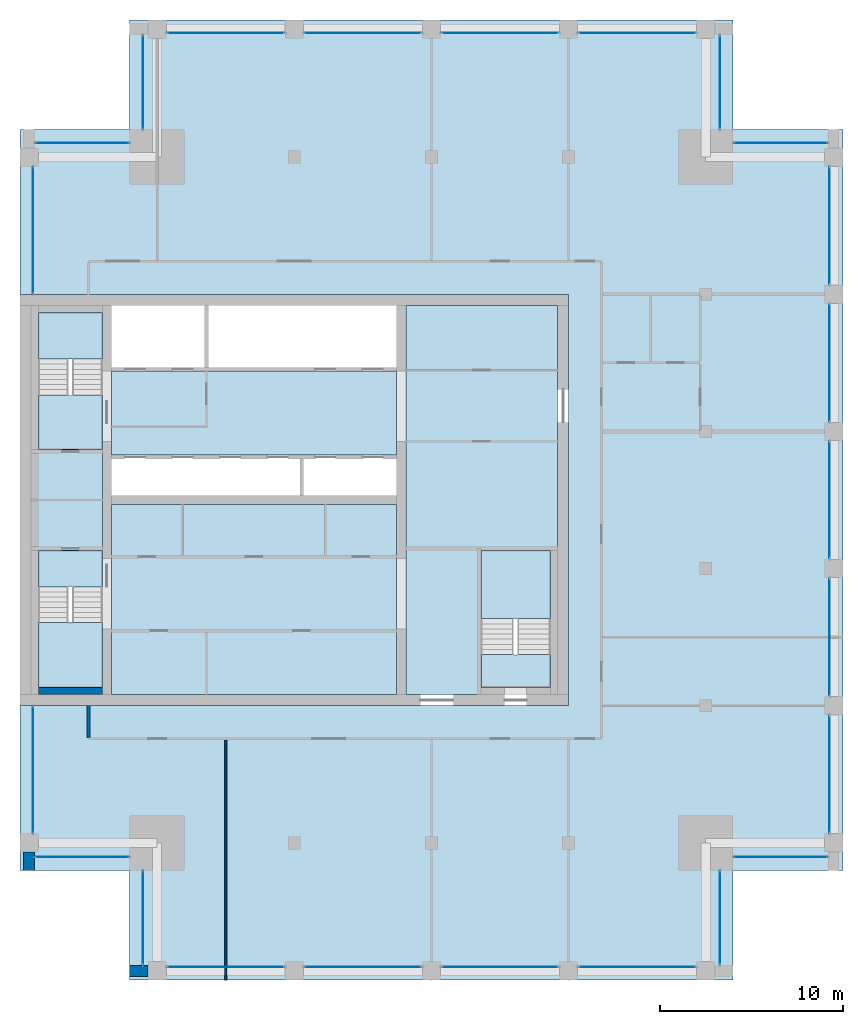
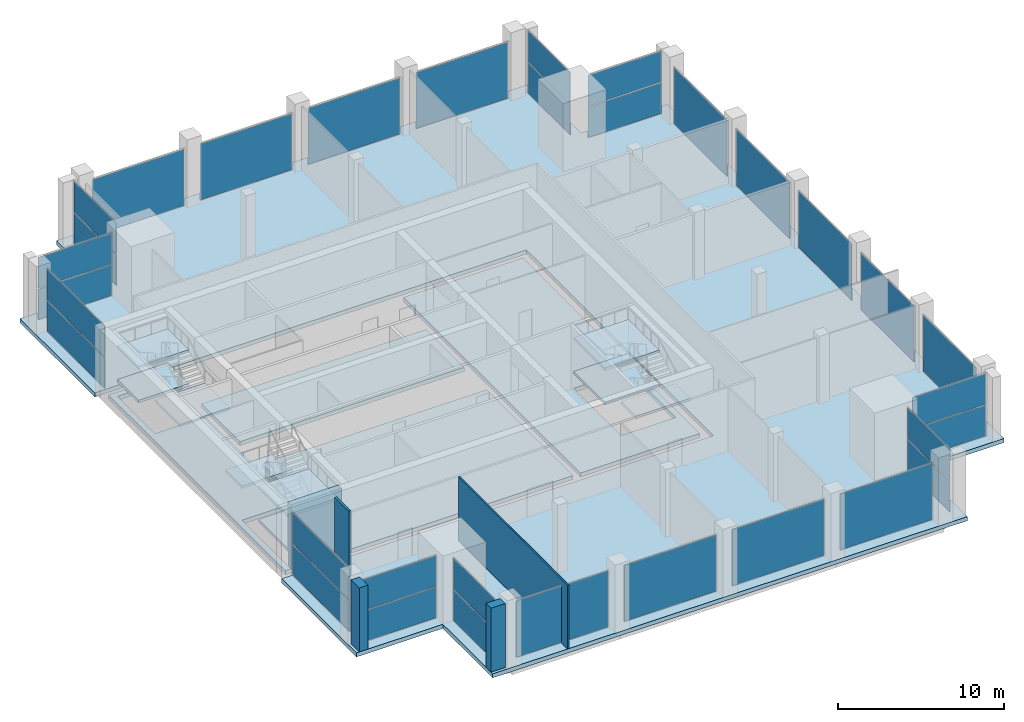
# One storey, part 7 of 15: 33 plates, 14 slabs, 5 walls, 26 elements without a shape of their own.
"""IFC4 building model written with IfcOpenShell, lengths in metres."""

from ifc_helpers import new_model, si_unit, direction, frame, frame_2d, origin, origin_2d, place, context, subcontext, project, spatial, polyline, rectangle, outline, extrude, material, layer, layer_set, type_object, element, aggregate, save


model = new_model("IFC4")

# Units and contexts
model_context = context("Model", 3, precision=1e-05, world=origin(), true_north=direction((0.0, 1.0)))
body_context = subcontext(model_context, "Body", "Model", "MODEL_VIEW")
ifc_project = project(units=[si_unit("LENGTHUNIT", "METRE"), si_unit("AREAUNIT", "SQUARE_METRE"), si_unit("VOLUMEUNIT", "CUBIC_METRE"), si_unit("PLANEANGLEUNIT", "RADIAN"), si_unit("MASSUNIT", "GRAM", prefix="KILO")], contexts=[model_context])

# Site, building, storey
site_placement = place(None, origin())
site = spatial("IfcSite", under=ifc_project, at=site_placement, CompositionType="ELEMENT")
building_placement = place(site_placement, origin())
building = spatial("IfcBuilding", under=site, at=building_placement, Name="Tamorin Gate", CompositionType="ELEMENT")
storey_placement = place(building_placement, frame((0.0, 0.0, 297.699951171875)))
storey = spatial("IfcBuildingStorey", under=building, at=storey_placement, Name="L74", CompositionType="ELEMENT", Elevation=297.699951171875)

# Curtain wall, plate
ifc_material_1 = material(Name="Aluminium mullions and transoms with clear glass", Category="aluminium")
ifc_layer_1 = layer(ifc_material_1, 0.159912109375)
ifc_layer_set_1 = layer_set([ifc_layer_1], Name="Curtain wall system CW2")
curtain_wall_type = type_object("IfcCurtainWallType", Name="Curtain wall system CW2", PredefinedType="NOTDEFINED", material=ifc_layer_set_1)
curtain_wall_1_placement = place(storey_placement, origin())
curtain_wall_1 = element("IfcCurtainWall", 1, at=curtain_wall_1_placement, inside=storey, type_object=curtain_wall_type, Name="Curtain wall", PredefinedType="NOTDEFINED")
ifc_material_2 = material(Name="Clear glass", Category="glass")
ifc_layer_2 = layer(ifc_material_2, 0.028076171875)
ifc_layer_set_2 = layer_set([ifc_layer_2], Name="Clear glass panel IGU 28")
plate_type = type_object("IfcPlateType", Name="Clear glass panel IGU 28", PredefinedType="CURTAIN_PANEL", material=ifc_layer_set_2)
plate_1_placement = place(storey_placement, frame((41.25, 45.719970703125, 0.06005859375), z_axis=(0.0, 0.0, 1.0), x_axis=(1.0, 0.0, 0.0)))
plate_1 = element("IfcPlate", 2, at=plate_1_placement, type_object=plate_type, Name="CW2 panel 1.1", PredefinedType="CURTAIN_PANEL", context=body_context, shape_type="SweptSolid", body=[
    extrude(rectangle(XDim=6.3798828125, YDim=0.028076171875, at=origin_2d()), origin(), (0.0, 0.0, 1.0), 4.1298828125),
])
aggregate(curtain_wall_1, [plate_1])

curtain_wall_2_placement = place(storey_placement, origin())
curtain_wall_2 = element("IfcCurtainWall", 3, at=curtain_wall_2_placement, inside=storey, type_object=curtain_wall_type, Name="Curtain wall", PredefinedType="NOTDEFINED")
plate_2_placement = place(storey_placement, frame((48.75, 45.719970703125, 0.06005859375), z_axis=(0.0, 0.0, 1.0), x_axis=(1.0, 0.0, 0.0)))
plate_2 = element("IfcPlate", 4, at=plate_2_placement, type_object=plate_type, Name="CW2 panel 1.1", PredefinedType="CURTAIN_PANEL", context=body_context, shape_type="SweptSolid", body=[
    extrude(rectangle(XDim=6.3798828125, YDim=0.028076171875, at=origin_2d()), origin(), (0.0, 0.0, 1.0), 4.1298828125),
])
aggregate(curtain_wall_2, [plate_2])

curtain_wall_3_placement = place(storey_placement, origin())
curtain_wall_3 = element("IfcCurtainWall", 5, at=curtain_wall_3_placement, inside=storey, type_object=curtain_wall_type, Name="Curtain wall", PredefinedType="NOTDEFINED")
plate_3_placement = place(storey_placement, frame((56.25, 45.719970703125, 0.06005859375), z_axis=(0.0, 0.0, 1.0), x_axis=(1.0, 0.0, 0.0)))
plate_3 = element("IfcPlate", 6, at=plate_3_placement, type_object=plate_type, Name="CW2 panel 1.1", PredefinedType="CURTAIN_PANEL", context=body_context, shape_type="SweptSolid", body=[
    extrude(rectangle(XDim=6.3798828125, YDim=0.028076171875, at=origin_2d()), origin(), (0.0, 0.0, 1.0), 4.1298828125),
])
aggregate(curtain_wall_3, [plate_3])

curtain_wall_4_placement = place(storey_placement, origin())
curtain_wall_4 = element("IfcCurtainWall", 7, at=curtain_wall_4_placement, inside=storey, type_object=curtain_wall_type, Name="Curtain wall", PredefinedType="NOTDEFINED")
plate_4_placement = place(storey_placement, frame((63.75, 45.719970703125, 0.06005859375), z_axis=(0.0, 0.0, 1.0), x_axis=(1.0, 0.0, 0.0)))
plate_4 = element("IfcPlate", 8, at=plate_4_placement, type_object=plate_type, Name="CW2 panel 1.1", PredefinedType="CURTAIN_PANEL", context=body_context, shape_type="SweptSolid", body=[
    extrude(rectangle(XDim=6.3798828125, YDim=0.028076171875, at=origin_2d()), origin(), (0.0, 0.0, 1.0), 4.1298828125),
])
aggregate(curtain_wall_4, [plate_4])

# Curtain wall, plates
curtain_wall_5_placement = place(storey_placement, origin())
curtain_wall_5 = element("IfcCurtainWall", 9, at=curtain_wall_5_placement, inside=storey, type_object=curtain_wall_type, Name="Curtain wall", PredefinedType="NOTDEFINED")
plate_5_placement = place(storey_placement, frame((68.280029296875, 48.39990234375, 0.06005859375), z_axis=(0.0, 0.0, 1.0), x_axis=(0.0, 1.0, 0.0)))
plate_5 = element("IfcPlate", 10, at=plate_5_placement, type_object=plate_type, Name="CW2 panel 1.1", PredefinedType="CURTAIN_PANEL", context=body_context, shape_type="SweptSolid", body=[
    extrude(rectangle(XDim=5.080078125, YDim=0.028076171875, at=origin_2d()), origin(), (0.0, 0.0, 1.0), 2.260009765625),
])
plate_6_placement = place(storey_placement, frame((68.280029296875, 48.39990234375, 2.3798828125), z_axis=(0.0, 0.0, 1.0), x_axis=(0.0, 1.0, 0.0)))
plate_6 = element("IfcPlate", 11, at=plate_6_placement, type_object=plate_type, Name="CW2 panel 1.2", PredefinedType="CURTAIN_PANEL", context=body_context, shape_type="SweptSolid", body=[
    extrude(rectangle(XDim=5.080078125, YDim=0.028076171875, at=origin_2d()), origin(), (0.0, 0.0, 1.0), 2.260009765625),
])
aggregate(curtain_wall_5, [plate_5, plate_6])

curtain_wall_6_placement = place(storey_placement, origin())
curtain_wall_6 = element("IfcCurtainWall", 12, at=curtain_wall_6_placement, inside=storey, type_object=curtain_wall_type, Name="Curtain wall", PredefinedType="NOTDEFINED")
plate_7_placement = place(storey_placement, frame((71.60009765625, 51.719970703125, 0.06005859375), z_axis=(0.0, 0.0, 1.0), x_axis=(1.0, 0.0, 0.0)))
plate_7 = element("IfcPlate", 13, at=plate_7_placement, type_object=plate_type, Name="CW2 panel 1.1", PredefinedType="CURTAIN_PANEL", context=body_context, shape_type="SweptSolid", body=[
    extrude(rectangle(XDim=5.080078125, YDim=0.028076171875, at=origin_2d()), origin(), (0.0, 0.0, 1.0), 2.260009765625),
])
plate_8_placement = place(storey_placement, frame((71.60009765625, 51.719970703125, 2.3798828125), z_axis=(0.0, 0.0, 1.0), x_axis=(1.0, 0.0, 0.0)))
plate_8 = element("IfcPlate", 14, at=plate_8_placement, type_object=plate_type, Name="CW2 panel 1.2", PredefinedType="CURTAIN_PANEL", context=body_context, shape_type="SweptSolid", body=[
    extrude(rectangle(XDim=5.080078125, YDim=0.028076171875, at=origin_2d()), origin(), (0.0, 0.0, 1.0), 2.260009765625),
])
aggregate(curtain_wall_6, [plate_7, plate_8])

# Curtain wall, plate
curtain_wall_7_placement = place(storey_placement, origin())
curtain_wall_7 = element("IfcCurtainWall", 15, at=curtain_wall_7_placement, inside=storey, type_object=curtain_wall_type, Name="Curtain wall", PredefinedType="NOTDEFINED")
plate_9_placement = place(storey_placement, frame((74.280029296875, 56.25, 0.06005859375), z_axis=(0.0, 0.0, 1.0), x_axis=(0.0, 1.0, 0.0)))
plate_9 = element("IfcPlate", 16, at=plate_9_placement, type_object=plate_type, Name="CW2 panel 1.1", PredefinedType="CURTAIN_PANEL", context=body_context, shape_type="SweptSolid", body=[
    extrude(rectangle(XDim=6.3798828125, YDim=0.028076171875, at=origin_2d()), origin(), (0.0, 0.0, 1.0), 4.1298828125),
])
aggregate(curtain_wall_7, [plate_9])

curtain_wall_8_placement = place(storey_placement, origin())
curtain_wall_8 = element("IfcCurtainWall", 17, at=curtain_wall_8_placement, inside=storey, type_object=curtain_wall_type, Name="Curtain wall", PredefinedType="NOTDEFINED")
plate_10_placement = place(storey_placement, frame((74.280029296875, 63.75, 0.06005859375), z_axis=(0.0, 0.0, 1.0), x_axis=(0.0, 1.0, 0.0)))
plate_10 = element("IfcPlate", 18, at=plate_10_placement, type_object=plate_type, Name="CW2 panel 1.1", PredefinedType="CURTAIN_PANEL", context=body_context, shape_type="SweptSolid", body=[
    extrude(rectangle(XDim=6.3798828125, YDim=0.028076171875, at=origin_2d()), origin(), (0.0, 0.0, 1.0), 4.1298828125),
])
aggregate(curtain_wall_8, [plate_10])

curtain_wall_9_placement = place(storey_placement, origin())
curtain_wall_9 = element("IfcCurtainWall", 19, at=curtain_wall_9_placement, inside=storey, type_object=curtain_wall_type, Name="Curtain wall", PredefinedType="NOTDEFINED")
plate_11_placement = place(storey_placement, frame((74.280029296875, 71.25, 0.06005859375), z_axis=(0.0, 0.0, 1.0), x_axis=(0.0, 1.0, 0.0)))
plate_11 = element("IfcPlate", 20, at=plate_11_placement, type_object=plate_type, Name="CW2 panel 1.1", PredefinedType="CURTAIN_PANEL", context=body_context, shape_type="SweptSolid", body=[
    extrude(rectangle(XDim=6.3798828125, YDim=0.028076171875, at=origin_2d()), origin(), (0.0, 0.0, 1.0), 4.1298828125),
])
aggregate(curtain_wall_9, [plate_11])

curtain_wall_10_placement = place(storey_placement, origin())
curtain_wall_10 = element("IfcCurtainWall", 21, at=curtain_wall_10_placement, inside=storey, type_object=curtain_wall_type, Name="Curtain wall", PredefinedType="NOTDEFINED")
plate_12_placement = place(storey_placement, frame((74.280029296875, 78.75, 0.06005859375), z_axis=(0.0, 0.0, 1.0), x_axis=(0.0, 1.0, 0.0)))
plate_12 = element("IfcPlate", 22, at=plate_12_placement, type_object=plate_type, Name="CW2 panel 1.1", PredefinedType="CURTAIN_PANEL", context=body_context, shape_type="SweptSolid", body=[
    extrude(rectangle(XDim=6.3798828125, YDim=0.028076171875, at=origin_2d()), origin(), (0.0, 0.0, 1.0), 4.1298828125),
])
aggregate(curtain_wall_10, [plate_12])

curtain_wall_11_placement = place(storey_placement, origin())
curtain_wall_11 = element("IfcCurtainWall", 23, at=curtain_wall_11_placement, inside=storey, type_object=curtain_wall_type, Name="Curtain wall", PredefinedType="NOTDEFINED")
plate_13_placement = place(storey_placement, frame((74.280029296875, 86.25, 0.06005859375), z_axis=(0.0, 0.0, 1.0), x_axis=(0.0, 1.0, 0.0)))
plate_13 = element("IfcPlate", 24, at=plate_13_placement, type_object=plate_type, Name="CW2 panel 1.1", PredefinedType="CURTAIN_PANEL", context=body_context, shape_type="SweptSolid", body=[
    extrude(rectangle(XDim=6.3798828125, YDim=0.028076171875, at=origin_2d()), origin(), (0.0, 0.0, 1.0), 4.1298828125),
])
aggregate(curtain_wall_11, [plate_13])

# Curtain wall, plates
curtain_wall_12_placement = place(storey_placement, origin())
curtain_wall_12 = element("IfcCurtainWall", 25, at=curtain_wall_12_placement, inside=storey, type_object=curtain_wall_type, Name="Curtain wall", PredefinedType="NOTDEFINED")
plate_14_placement = place(storey_placement, frame((71.60009765625, 90.780029296875, 0.06005859375), z_axis=(0.0, 0.0, 1.0), x_axis=(-1.0, 0.0, 0.0)))
plate_14 = element("IfcPlate", 26, at=plate_14_placement, type_object=plate_type, Name="CW2 panel 1.1", PredefinedType="CURTAIN_PANEL", context=body_context, shape_type="SweptSolid", body=[
    extrude(rectangle(XDim=5.080078125, YDim=0.028076171875, at=origin_2d()), origin(), (0.0, 0.0, 1.0), 2.260009765625),
])
plate_15_placement = place(storey_placement, frame((71.60009765625, 90.780029296875, 2.3798828125), z_axis=(0.0, 0.0, 1.0), x_axis=(-1.0, 0.0, 0.0)))
plate_15 = element("IfcPlate", 27, at=plate_15_placement, type_object=plate_type, Name="CW2 panel 1.2", PredefinedType="CURTAIN_PANEL", context=body_context, shape_type="SweptSolid", body=[
    extrude(rectangle(XDim=5.080078125, YDim=0.028076171875, at=origin_2d()), origin(), (0.0, 0.0, 1.0), 2.260009765625),
])
aggregate(curtain_wall_12, [plate_14, plate_15])

curtain_wall_13_placement = place(storey_placement, origin())
curtain_wall_13 = element("IfcCurtainWall", 28, at=curtain_wall_13_placement, inside=storey, type_object=curtain_wall_type, Name="Curtain wall", PredefinedType="NOTDEFINED")
plate_16_placement = place(storey_placement, frame((68.280029296875, 94.10009765625, 0.06005859375), z_axis=(0.0, 0.0, 1.0), x_axis=(0.0, 1.0, 0.0)))
plate_16 = element("IfcPlate", 29, at=plate_16_placement, type_object=plate_type, Name="CW2 panel 1.1", PredefinedType="CURTAIN_PANEL", context=body_context, shape_type="SweptSolid", body=[
    extrude(rectangle(XDim=5.080078125, YDim=0.028076171875, at=origin_2d()), origin(), (0.0, 0.0, 1.0), 2.260009765625),
])
plate_17_placement = place(storey_placement, frame((68.280029296875, 94.10009765625, 2.3798828125), z_axis=(0.0, 0.0, 1.0), x_axis=(0.0, 1.0, 0.0)))
plate_17 = element("IfcPlate", 30, at=plate_17_placement, type_object=plate_type, Name="CW2 panel 1.2", PredefinedType="CURTAIN_PANEL", context=body_context, shape_type="SweptSolid", body=[
    extrude(rectangle(XDim=5.080078125, YDim=0.028076171875, at=origin_2d()), origin(), (0.0, 0.0, 1.0), 2.260009765625),
])
aggregate(curtain_wall_13, [plate_16, plate_17])

# Curtain wall, plate
curtain_wall_14_placement = place(storey_placement, origin())
curtain_wall_14 = element("IfcCurtainWall", 31, at=curtain_wall_14_placement, inside=storey, type_object=curtain_wall_type, Name="Curtain wall", PredefinedType="NOTDEFINED")
plate_18_placement = place(storey_placement, frame((63.75, 96.780029296875, 0.06005859375), z_axis=(0.0, 0.0, 1.0), x_axis=(-1.0, 0.0, 0.0)))
plate_18 = element("IfcPlate", 32, at=plate_18_placement, type_object=plate_type, Name="CW2 panel 1.1", PredefinedType="CURTAIN_PANEL", context=body_context, shape_type="SweptSolid", body=[
    extrude(rectangle(XDim=6.3798828125, YDim=0.028076171875, at=origin_2d()), origin(), (0.0, 0.0, 1.0), 4.1298828125),
])
aggregate(curtain_wall_14, [plate_18])

curtain_wall_15_placement = place(storey_placement, origin())
curtain_wall_15 = element("IfcCurtainWall", 33, at=curtain_wall_15_placement, inside=storey, type_object=curtain_wall_type, Name="Curtain wall", PredefinedType="NOTDEFINED")
plate_19_placement = place(storey_placement, frame((56.25, 96.780029296875, 0.06005859375), z_axis=(0.0, 0.0, 1.0), x_axis=(-1.0, 0.0, 0.0)))
plate_19 = element("IfcPlate", 34, at=plate_19_placement, type_object=plate_type, Name="CW2 panel 1.1", PredefinedType="CURTAIN_PANEL", context=body_context, shape_type="SweptSolid", body=[
    extrude(rectangle(XDim=6.3798828125, YDim=0.028076171875, at=origin_2d()), origin(), (0.0, 0.0, 1.0), 4.1298828125),
])
aggregate(curtain_wall_15, [plate_19])

curtain_wall_16_placement = place(storey_placement, origin())
curtain_wall_16 = element("IfcCurtainWall", 35, at=curtain_wall_16_placement, inside=storey, type_object=curtain_wall_type, Name="Curtain wall", PredefinedType="NOTDEFINED")
plate_20_placement = place(storey_placement, frame((48.75, 96.780029296875, 0.06005859375), z_axis=(0.0, 0.0, 1.0), x_axis=(-1.0, 0.0, 0.0)))
plate_20 = element("IfcPlate", 36, at=plate_20_placement, type_object=plate_type, Name="CW2 panel 1.1", PredefinedType="CURTAIN_PANEL", context=body_context, shape_type="SweptSolid", body=[
    extrude(rectangle(XDim=6.3798828125, YDim=0.028076171875, at=origin_2d()), origin(), (0.0, 0.0, 1.0), 4.1298828125),
])
aggregate(curtain_wall_16, [plate_20])

curtain_wall_17_placement = place(storey_placement, origin())
curtain_wall_17 = element("IfcCurtainWall", 37, at=curtain_wall_17_placement, inside=storey, type_object=curtain_wall_type, Name="Curtain wall", PredefinedType="NOTDEFINED")
plate_21_placement = place(storey_placement, frame((41.25, 96.780029296875, 0.06005859375), z_axis=(0.0, 0.0, 1.0), x_axis=(-1.0, 0.0, 0.0)))
plate_21 = element("IfcPlate", 38, at=plate_21_placement, type_object=plate_type, Name="CW2 panel 1.1", PredefinedType="CURTAIN_PANEL", context=body_context, shape_type="SweptSolid", body=[
    extrude(rectangle(XDim=6.3798828125, YDim=0.028076171875, at=origin_2d()), origin(), (0.0, 0.0, 1.0), 4.1298828125),
])
aggregate(curtain_wall_17, [plate_21])

# Curtain wall, plates
curtain_wall_18_placement = place(storey_placement, origin())
curtain_wall_18 = element("IfcCurtainWall", 39, at=curtain_wall_18_placement, inside=storey, type_object=curtain_wall_type, Name="Curtain wall", PredefinedType="NOTDEFINED")
plate_22_placement = place(storey_placement, frame((36.719970703125, 94.10009765625, 0.06005859375), z_axis=(0.0, 0.0, 1.0), x_axis=(0.0, -1.0, 0.0)))
plate_22 = element("IfcPlate", 40, at=plate_22_placement, type_object=plate_type, Name="CW2 panel 1.1", PredefinedType="CURTAIN_PANEL", context=body_context, shape_type="SweptSolid", body=[
    extrude(rectangle(XDim=5.080078125, YDim=0.028076171875, at=origin_2d()), origin(), (0.0, 0.0, 1.0), 2.260009765625),
])
plate_23_placement = place(storey_placement, frame((36.719970703125, 94.10009765625, 2.3798828125), z_axis=(0.0, 0.0, 1.0), x_axis=(0.0, -1.0, 0.0)))
plate_23 = element("IfcPlate", 41, at=plate_23_placement, type_object=plate_type, Name="CW2 panel 1.2", PredefinedType="CURTAIN_PANEL", context=body_context, shape_type="SweptSolid", body=[
    extrude(rectangle(XDim=5.080078125, YDim=0.028076171875, at=origin_2d()), origin(), (0.0, 0.0, 1.0), 2.260009765625),
])
aggregate(curtain_wall_18, [plate_22, plate_23])

curtain_wall_19_placement = place(storey_placement, origin())
curtain_wall_19 = element("IfcCurtainWall", 42, at=curtain_wall_19_placement, inside=storey, type_object=curtain_wall_type, Name="Curtain wall", PredefinedType="NOTDEFINED")
plate_24_placement = place(storey_placement, frame((33.39990234375, 90.780029296875, 0.06005859375), z_axis=(0.0, 0.0, 1.0), x_axis=(-1.0, 0.0, 0.0)))
plate_24 = element("IfcPlate", 43, at=plate_24_placement, type_object=plate_type, Name="CW2 panel 1.1", PredefinedType="CURTAIN_PANEL", context=body_context, shape_type="SweptSolid", body=[
    extrude(rectangle(XDim=5.080078125, YDim=0.028076171875, at=origin_2d()), origin(), (0.0, 0.0, 1.0), 2.260009765625),
])
plate_25_placement = place(storey_placement, frame((33.39990234375, 90.780029296875, 2.3798828125), z_axis=(0.0, 0.0, 1.0), x_axis=(-1.0, 0.0, 0.0)))
plate_25 = element("IfcPlate", 44, at=plate_25_placement, type_object=plate_type, Name="CW2 panel 1.2", PredefinedType="CURTAIN_PANEL", context=body_context, shape_type="SweptSolid", body=[
    extrude(rectangle(XDim=5.080078125, YDim=0.028076171875, at=origin_2d()), origin(), (0.0, 0.0, 1.0), 2.260009765625),
])
aggregate(curtain_wall_19, [plate_24, plate_25])

curtain_wall_20_placement = place(storey_placement, origin())
curtain_wall_20 = element("IfcCurtainWall", 45, at=curtain_wall_20_placement, inside=storey, type_object=curtain_wall_type, Name="Curtain wall", PredefinedType="NOTDEFINED")
plate_26_placement = place(storey_placement, frame((30.719970703125, 86.0, 0.06005859375), z_axis=(0.0, 0.0, 1.0), x_axis=(0.0, -1.0, 0.0)))
plate_26 = element("IfcPlate", 46, at=plate_26_placement, type_object=plate_type, Name="CW2 panel 1.1", PredefinedType="CURTAIN_PANEL", context=body_context, shape_type="SweptSolid", body=[
    extrude(rectangle(XDim=6.8798828125, YDim=0.028076171875, at=origin_2d()), origin(), (0.0, 0.0, 1.0), 2.260009765625),
])
plate_27_placement = place(storey_placement, frame((30.719970703125, 86.0, 2.3798828125), z_axis=(0.0, 0.0, 1.0), x_axis=(0.0, -1.0, 0.0)))
plate_27 = element("IfcPlate", 47, at=plate_27_placement, type_object=plate_type, Name="CW2 panel 1.2", PredefinedType="CURTAIN_PANEL", context=body_context, shape_type="SweptSolid", body=[
    extrude(rectangle(XDim=6.8798828125, YDim=0.028076171875, at=origin_2d()), origin(), (0.0, 0.0, 1.0), 2.260009765625),
])
aggregate(curtain_wall_20, [plate_26, plate_27])

curtain_wall_21_placement = place(storey_placement, origin())
curtain_wall_21 = element("IfcCurtainWall", 48, at=curtain_wall_21_placement, inside=storey, type_object=curtain_wall_type, Name="Curtain wall", PredefinedType="NOTDEFINED")
plate_28_placement = place(storey_placement, frame((30.719970703125, 56.5, 0.06005859375), z_axis=(0.0, 0.0, 1.0), x_axis=(0.0, -1.0, 0.0)))
plate_28 = element("IfcPlate", 49, at=plate_28_placement, type_object=plate_type, Name="CW2 panel 1.1", PredefinedType="CURTAIN_PANEL", context=body_context, shape_type="SweptSolid", body=[
    extrude(rectangle(XDim=6.8798828125, YDim=0.028076171875, at=origin_2d()), origin(), (0.0, 0.0, 1.0), 2.260009765625),
])
plate_29_placement = place(storey_placement, frame((30.719970703125, 56.5, 2.3798828125), z_axis=(0.0, 0.0, 1.0), x_axis=(0.0, -1.0, 0.0)))
plate_29 = element("IfcPlate", 50, at=plate_29_placement, type_object=plate_type, Name="CW2 panel 1.2", PredefinedType="CURTAIN_PANEL", context=body_context, shape_type="SweptSolid", body=[
    extrude(rectangle(XDim=6.8798828125, YDim=0.028076171875, at=origin_2d()), origin(), (0.0, 0.0, 1.0), 2.260009765625),
])
aggregate(curtain_wall_21, [plate_28, plate_29])

curtain_wall_22_placement = place(storey_placement, origin())
curtain_wall_22 = element("IfcCurtainWall", 51, at=curtain_wall_22_placement, inside=storey, type_object=curtain_wall_type, Name="Curtain wall", PredefinedType="NOTDEFINED")
plate_30_placement = place(storey_placement, frame((33.39990234375, 51.719970703125, 0.06005859375), z_axis=(0.0, 0.0, 1.0), x_axis=(1.0, 0.0, 0.0)))
plate_30 = element("IfcPlate", 52, at=plate_30_placement, type_object=plate_type, Name="CW2 panel 1.1", PredefinedType="CURTAIN_PANEL", context=body_context, shape_type="SweptSolid", body=[
    extrude(rectangle(XDim=5.080078125, YDim=0.028076171875, at=origin_2d()), origin(), (0.0, 0.0, 1.0), 2.260009765625),
])
plate_31_placement = place(storey_placement, frame((33.39990234375, 51.719970703125, 2.3798828125), z_axis=(0.0, 0.0, 1.0), x_axis=(1.0, 0.0, 0.0)))
plate_31 = element("IfcPlate", 53, at=plate_31_placement, type_object=plate_type, Name="CW2 panel 1.2", PredefinedType="CURTAIN_PANEL", context=body_context, shape_type="SweptSolid", body=[
    extrude(rectangle(XDim=5.080078125, YDim=0.028076171875, at=origin_2d()), origin(), (0.0, 0.0, 1.0), 2.260009765625),
])
aggregate(curtain_wall_22, [plate_30, plate_31])

curtain_wall_23_placement = place(storey_placement, origin())
curtain_wall_23 = element("IfcCurtainWall", 54, at=curtain_wall_23_placement, inside=storey, type_object=curtain_wall_type, Name="Curtain wall", PredefinedType="NOTDEFINED")
plate_32_placement = place(storey_placement, frame((36.719970703125, 48.39990234375, 0.06005859375), z_axis=(0.0, 0.0, 1.0), x_axis=(0.0, -1.0, 0.0)))
plate_32 = element("IfcPlate", 55, at=plate_32_placement, type_object=plate_type, Name="CW2 panel 1.1", PredefinedType="CURTAIN_PANEL", context=body_context, shape_type="SweptSolid", body=[
    extrude(rectangle(XDim=5.080078125, YDim=0.028076171875, at=origin_2d()), origin(), (0.0, 0.0, 1.0), 2.260009765625),
])
plate_33_placement = place(storey_placement, frame((36.719970703125, 48.39990234375, 2.3798828125), z_axis=(0.0, 0.0, 1.0), x_axis=(0.0, -1.0, 0.0)))
plate_33 = element("IfcPlate", 56, at=plate_33_placement, type_object=plate_type, Name="CW2 panel 1.2", PredefinedType="CURTAIN_PANEL", context=body_context, shape_type="SweptSolid", body=[
    extrude(rectangle(XDim=5.080078125, YDim=0.028076171875, at=origin_2d()), origin(), (0.0, 0.0, 1.0), 2.260009765625),
])
aggregate(curtain_wall_23, [plate_32, plate_33])

# Slabs
ifc_material_3 = material(Name="Concrete C40/50", Category="concrete")
ifc_layer_3 = layer(ifc_material_3, 0.300048828125)
ifc_layer_set_3 = layer_set([ifc_layer_3], Name="Core floor slab 300 C40/50")
slab_type_1 = type_object("IfcSlabType", Name="Core floor slab 300 C40/50", PredefinedType="FLOOR", material=ifc_layer_set_3)
slab_1_placement = place(storey_placement, frame((0.0, 0.0, -0.300048828125)))
element("IfcSlab", 57, at=slab_1_placement, inside=storey, type_object=slab_type_1, Name="Core floor L74", PredefinedType="FLOOR", context=body_context, shape_type="SweptSolid", body=[
    extrude(outline(polyline([(51.10009765625, 81.89990234375), (59.39990234375, 81.89990234375), (59.39990234375, 60.60009765625), (51.10009765625, 60.60009765625), (51.10009765625, 81.89990234375)]), holes=[polyline([(55.199951171875, 62.800048828125), (59.0, 62.800048828125), (59.0, 68.5), (55.199951171875, 68.5), (55.199951171875, 62.800048828125)])]), origin(), (0.0, 0.0, 1.0), 0.300048828125),
])
slab_2_placement = place(storey_placement, frame((0.0, 0.0, -0.300048828125)))
element("IfcSlab", 58, at=slab_2_placement, inside=storey, type_object=slab_type_1, Name="Core floor L74", PredefinedType="FLOOR", context=body_context, shape_type="SweptSolid", body=[
    extrude(outline(polyline([(50.60009765625, 71.0), (50.60009765625, 60.60009765625), (35.0, 60.60009765625), (35.0, 71.0), (50.60009765625, 71.0)])), origin(), (0.0, 0.0, 1.0), 0.300048828125),
])
slab_3_placement = place(storey_placement, frame((0.0, 0.0, -0.300048828125)))
element("IfcSlab", 59, at=slab_3_placement, inside=storey, type_object=slab_type_1, Name="Core floor L74", PredefinedType="FLOOR", context=body_context, shape_type="SweptSolid", body=[
    extrude(outline(polyline([(50.60009765625, 73.699951171875), (35.0, 73.699951171875), (35.0, 78.300048828125), (50.60009765625, 78.300048828125), (50.60009765625, 73.699951171875)])), origin(), (0.0, 0.0, 1.0), 0.300048828125),
])
slab_4_placement = place(storey_placement, frame((0.0, 0.0, -0.300048828125)))
element("IfcSlab", 60, at=slab_4_placement, inside=storey, type_object=slab_type_1, Name="Core floor L74", PredefinedType="FLOOR", context=body_context, shape_type="SweptSolid", body=[
    extrude(outline(polyline([(34.5, 60.60009765625), (30.60009765625, 60.60009765625), (30.60009765625, 81.89990234375), (34.5, 81.89990234375), (34.5, 81.5), (31.0, 81.5), (31.0, 77.0), (34.5, 77.0), (34.5, 66.5), (31.0, 66.5), (31.0, 61.0), (34.5, 61.0), (34.5, 60.60009765625)])), origin(), (0.0, 0.0, 1.0), 0.300048828125),
])

# Stair, slabs
stair_type = type_object("IfcStairType", Name="Exit stair", PredefinedType="HALF_TURN_STAIR", material=ifc_material_3)
stair_1_placement = place(storey_placement, origin())
stair_1 = element("IfcStair", 61, at=stair_1_placement, inside=storey, type_object=stair_type, Name="L74 stair ST1", PredefinedType="HALF_TURN_STAIR")
ifc_layer_4 = layer(ifc_material_3, 0.199951171875)
ifc_layer_set_4 = layer_set([ifc_layer_4], Name="Exit stair landing 200")
slab_type_2 = type_object("IfcSlabType", Name="Exit stair landing 200", PredefinedType="LANDING", material=ifc_layer_set_4)
slab_5_placement = place(storey_placement, frame((0.0, 0.0, 1.050048828125)))
slab_5 = element("IfcSlab", 62, at=slab_5_placement, type_object=slab_type_2, Name="ST1 landing 1", PredefinedType="LANDING", context=body_context, shape_type="SweptSolid", body=[
    extrude(outline(polyline([(31.0, 64.5400390625), (31.0, 61.0), (34.5, 61.0), (34.5, 64.5400390625), (31.0, 64.5400390625)])), origin(), (0.0, 0.0, 1.0), 0.199951171875),
])
slab_6_placement = place(storey_placement, frame((0.0, 0.0, 2.300048828125)))
slab_6 = element("IfcSlab", 63, at=slab_6_placement, type_object=slab_type_2, Name="ST1 landing 2", PredefinedType="LANDING", context=body_context, shape_type="SweptSolid", body=[
    extrude(outline(polyline([(31.0, 68.5), (31.0, 66.5), (34.5, 66.5), (34.5, 68.5), (31.0, 68.5)])), origin(), (0.0, 0.0, 1.0), 0.199951171875),
])
slab_7_placement = place(storey_placement, frame((0.0, 0.0, 3.550048828125)))
slab_7 = element("IfcSlab", 64, at=slab_7_placement, type_object=slab_type_2, Name="ST1 landing 3", PredefinedType="LANDING", context=body_context, shape_type="SweptSolid", body=[
    extrude(outline(polyline([(31.0, 64.5400390625), (31.0, 61.0), (34.5, 61.0), (34.5, 64.5400390625), (31.0, 64.5400390625)])), origin(), (0.0, 0.0, 1.0), 0.199951171875),
])
aggregate(stair_1, [slab_5, slab_6, slab_7])

stair_2_placement = place(storey_placement, origin())
stair_2 = element("IfcStair", 65, at=stair_2_placement, inside=storey, type_object=stair_type, Name="L74 stair ST2", PredefinedType="HALF_TURN_STAIR")
slab_8_placement = place(storey_placement, frame((0.0, 0.0, 1.050048828125)))
slab_8 = element("IfcSlab", 66, at=slab_8_placement, type_object=slab_type_2, Name="ST2 landing 1", PredefinedType="LANDING", context=body_context, shape_type="SweptSolid", body=[
    extrude(outline(polyline([(34.5, 78.9599609375), (34.5, 81.5), (31.0, 81.5), (31.0, 78.9599609375), (34.5, 78.9599609375)])), origin(), (0.0, 0.0, 1.0), 0.199951171875),
])
slab_9_placement = place(storey_placement, frame((0.0, 0.0, 2.300048828125)))
slab_9 = element("IfcSlab", 67, at=slab_9_placement, type_object=slab_type_2, Name="ST2 landing 2", PredefinedType="LANDING", context=body_context, shape_type="SweptSolid", body=[
    extrude(outline(polyline([(34.5, 74.0), (34.5, 77.0), (31.0, 77.0), (31.0, 74.0), (34.5, 74.0)])), origin(), (0.0, 0.0, 1.0), 0.199951171875),
])
slab_10_placement = place(storey_placement, frame((0.0, 0.0, 3.550048828125)))
slab_10 = element("IfcSlab", 68, at=slab_10_placement, type_object=slab_type_2, Name="ST2 landing 3", PredefinedType="LANDING", context=body_context, shape_type="SweptSolid", body=[
    extrude(outline(polyline([(34.5, 78.9599609375), (34.5, 81.5), (31.0, 81.5), (31.0, 78.9599609375), (34.5, 78.9599609375)])), origin(), (0.0, 0.0, 1.0), 0.199951171875),
])
aggregate(stair_2, [slab_8, slab_9, slab_10])

stair_3_placement = place(storey_placement, origin())
stair_3 = element("IfcStair", 69, at=stair_3_placement, inside=storey, type_object=stair_type, Name="L74 stair ST3", PredefinedType="HALF_TURN_STAIR")
slab_11_placement = place(storey_placement, frame((0.0, 0.0, 1.050048828125)))
slab_11 = element("IfcSlab", 70, at=slab_11_placement, type_object=slab_type_2, Name="ST3 landing 1", PredefinedType="LANDING", context=body_context, shape_type="SweptSolid", body=[
    extrude(outline(polyline([(59.0, 64.760009765625), (59.0, 68.5), (55.199951171875, 68.5), (55.199951171875, 64.760009765625), (59.0, 64.760009765625)])), origin(), (0.0, 0.0, 1.0), 0.199951171875),
])
slab_12_placement = place(storey_placement, frame((0.0, 0.0, 2.300048828125)))
slab_12 = element("IfcSlab", 71, at=slab_12_placement, type_object=slab_type_2, Name="ST3 landing 2", PredefinedType="LANDING", context=body_context, shape_type="SweptSolid", body=[
    extrude(outline(polyline([(59.0, 61.0), (59.0, 62.800048828125), (55.199951171875, 62.800048828125), (55.199951171875, 61.0), (59.0, 61.0)])), origin(), (0.0, 0.0, 1.0), 0.199951171875),
])
slab_13_placement = place(storey_placement, frame((0.0, 0.0, 3.550048828125)))
slab_13 = element("IfcSlab", 72, at=slab_13_placement, type_object=slab_type_2, Name="ST3 landing 3", PredefinedType="LANDING", context=body_context, shape_type="SweptSolid", body=[
    extrude(outline(polyline([(59.0, 64.760009765625), (59.0, 68.5), (55.199951171875, 68.5), (55.199951171875, 64.760009765625), (59.0, 64.760009765625)])), origin(), (0.0, 0.0, 1.0), 0.199951171875),
])
aggregate(stair_3, [slab_11, slab_12, slab_13])

# Slab
ifc_layer_5 = layer(ifc_material_3, 0.300048828125)
ifc_layer_set_5 = layer_set([ifc_layer_5], Name="Floor slab 300 C40/50")
slab_type_3 = type_object("IfcSlabType", Name="Floor slab 300 C40/50", PredefinedType="FLOOR", material=ifc_layer_set_5)
slab_14_placement = place(storey_placement, frame((0.0, 0.0, -0.300048828125)))
element("IfcSlab", 73, at=slab_14_placement, inside=storey, type_object=slab_type_3, Name="Floor L74", PredefinedType="FLOOR", context=body_context, shape_type="SweptSolid", body=[
    extrude(outline(polyline([(30.0, 91.5), (36.0, 91.5), (36.0, 97.5), (69.0, 97.5), (69.0, 91.5), (75.0, 91.5), (75.0, 51.0), (69.0, 51.0), (69.0, 45.0), (36.0, 45.0), (36.0, 51.0), (30.0, 51.0), (30.0, 60.0), (60.0, 60.0), (60.0, 82.5), (30.0, 82.5), (30.0, 91.5)])), origin(), (0.0, 0.0, 1.0), 0.300048828125),
])

# Walls
ifc_material_4 = material(Name="Precast concrete C40/50", Category="concrete")
ifc_layer_6 = layer(ifc_material_4, 0.60009765625)
ifc_layer_set_6 = layer_set([ifc_layer_6], Name="Precast concrete C40/50")
wall_type_1 = type_object("IfcWallType", Name="Board-marked concrete facade panel 600", PredefinedType="SOLIDWALL", material=ifc_layer_set_6)
for number, where, z_axis, x_axis, name in (
    (74, (36.0, 45.5, 0.0), (0.0, 0.0, 1.0), (1.0, 0.0, 0.0), "Facade panel"),
    (75, (30.5, 52.0, 0.0), (0.0, 0.0, 1.0), (0.0, -1.0, 0.0), "Facade panel"),
):
    element("IfcWall", number, at=place(storey_placement, frame(where, z_axis=z_axis, x_axis=x_axis)), inside=storey, type_object=wall_type_1, Name=name, PredefinedType="SOLIDWALL", context=body_context, shape_type="SweptSolid", body=[
        extrude(rectangle(XDim=1.0, YDim=0.60009765625, at=frame_2d((0.5, 0.0))), origin(), (0.0, 0.0, 1.0), 4.699951171875),
    ])
ifc_material_5 = material(Name="Gypsum board partition")
ifc_layer_7 = layer(ifc_material_5, 0.14990234375)
ifc_layer_set_7 = layer_set([ifc_layer_7], Name="Corridor wall 150")
wall_type_2 = type_object("IfcWallType", Name="Corridor wall 150", PredefinedType="PARTITIONING", material=ifc_layer_set_7)
wall_1_placement = place(storey_placement, frame((33.75, 58.27490234375, 0.0), z_axis=(0.0, 0.0, 1.0), x_axis=(0.0, 1.0, 0.0)))
element("IfcWall", 76, at=wall_1_placement, inside=storey, type_object=wall_type_2, Name="Corridor wall 150", PredefinedType="PARTITIONING", context=body_context, shape_type="SweptSolid", body=[
    extrude(rectangle(XDim=1.72509765625, YDim=0.14990234375, at=frame_2d((0.862548828125, 0.0))), origin(), (0.0, 0.0, 1.0), 4.699951171875),
])
ifc_layer_8 = layer(ifc_material_5, 0.10009765625)
ifc_layer_set_8 = layer_set([ifc_layer_8], Name="Room partition 100")
wall_type_3 = type_object("IfcWallType", Name="Room partition 100", PredefinedType="PARTITIONING", material=ifc_layer_set_8)
wall_2_placement = place(storey_placement, frame((41.25, 45.0, 0.0), z_axis=(0.0, 0.0, 1.0), x_axis=(0.0, 1.0, 0.0)))
element("IfcWall", 77, at=wall_2_placement, inside=storey, type_object=wall_type_3, Name="Room partition 100", PredefinedType="PARTITIONING", context=body_context, shape_type="SweptSolid", body=[
    extrude(rectangle(XDim=13.125, YDim=0.10009765625, at=frame_2d((6.5625, 0.0))), origin(), (0.0, 0.0, 1.0), 4.699951171875),
])
ifc_material_6 = material(Name="Concrete C50/60", Category="concrete")
ifc_layer_9 = layer(ifc_material_6, 0.39990234375)
ifc_layer_set_9 = layer_set([ifc_layer_9], Name="Stair lining wall 400 EI 120 C50/60")
wall_type_4 = type_object("IfcWallType", Name="Stair lining wall 400 EI 120 C50/60", PredefinedType="SOLIDWALL", material=ifc_layer_set_9)
wall_3_placement = place(storey_placement, frame((31.0, 60.800048828125, 0.0), z_axis=(0.0, 0.0, 1.0), x_axis=(1.0, 0.0, 0.0)))
element("IfcWall", 78, at=wall_3_placement, inside=storey, type_object=wall_type_4, Name="Stair lining wall", PredefinedType="SOLIDWALL", context=body_context, shape_type="SweptSolid", body=[
    extrude(rectangle(XDim=3.5, YDim=0.39990234375, at=frame_2d((1.75, 0.0))), origin(), (0.0, 0.0, 1.0), 4.699951171875),
])

save(model, "model.ifc")
